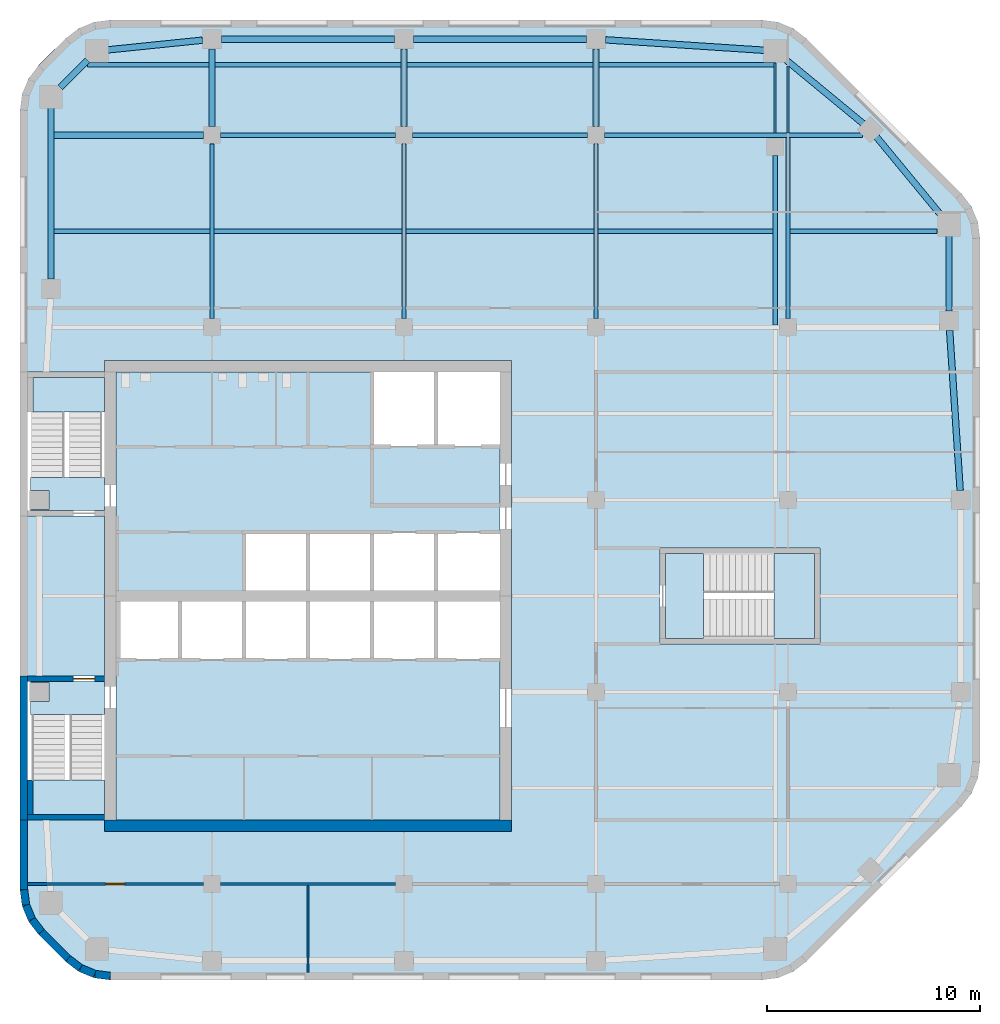
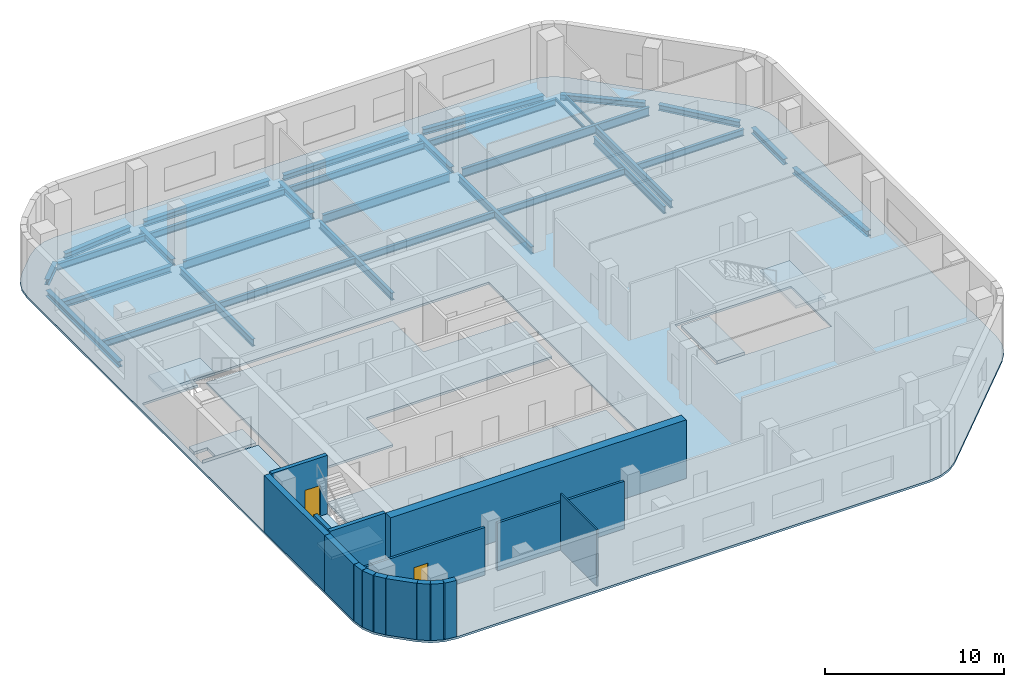
# One storey, part 2 of 8: 33 beams, 16 walls, 9 slabs, 2 doors, 2 openings, 3 elements without a shape of their own.
"""IFC4 building model written with IfcOpenShell, lengths in metres."""

from ifc_helpers import new_model, si_unit, direction, frame, frame_2d, origin, origin_2d, place, context, subcontext, project, spatial, polyline, rectangle, i_section, outline, extrude, material, layer, layer_set, material_profile, profile_set, type_object, element, fill, aggregate, save


model = new_model("IFC4")

# Units and contexts
model_context = context("Model", 3, precision=1e-05, world=origin(), true_north=direction((0.0, 1.0)))
body_context = subcontext(model_context, "Body", "Model", "MODEL_VIEW")
ifc_project = project(units=[si_unit("LENGTHUNIT", "METRE"), si_unit("AREAUNIT", "SQUARE_METRE"), si_unit("VOLUMEUNIT", "CUBIC_METRE"), si_unit("PLANEANGLEUNIT", "RADIAN"), si_unit("MASSUNIT", "GRAM", prefix="KILO")], contexts=[model_context])

# Site, building, storey
site_placement = place(None, origin())
site = spatial("IfcSite", under=ifc_project, at=site_placement, CompositionType="ELEMENT")
building_placement = place(site_placement, origin())
building = spatial("IfcBuilding", under=site, at=building_placement, Name="Cinnabar Reach Civic Tower", CompositionType="ELEMENT")
storey_placement = place(building_placement, frame((0.0, 0.0, 226.0)))
storey = spatial("IfcBuildingStorey", under=building, at=storey_placement, Name="L54", CompositionType="ELEMENT", Elevation=226.0)

# Beams
ifc_material_1 = material(Name="Steel Q355B", Category="steel")
ifc_material_profile_1 = material_profile(ifc_material_1, i_section(OverallWidth=0.3, OverallDepth=0.39, WebThickness=0.01, FlangeThickness=0.016, FilletRadius=0.013, at=origin_2d()), Name="HM390x300x10x16")
ifc_profile_set_1 = profile_set([ifc_material_profile_1], Name="Steel Q355B")
beam_type_1 = type_object("IfcBeamType", Name="HM390x300x10x16 beam R 180", PredefinedType="BEAM", material=ifc_profile_set_1)
beam_1_placement = place(storey_placement, frame((44.0702, 36.452, -0.345), z_axis=(-0.065709484267, 0.997838796438, 0.0), x_axis=(-0.997838796438, -0.065709484267, 0.0)))
element("IfcBeam", 1, at=beam_1_placement, inside=storey, type_object=beam_type_1, Name="Edge beam T1 L54 9", PredefinedType="BEAM", context=body_context, shape_type="SweptSolid", body=[
    extrude(i_section(OverallWidth=0.3, OverallDepth=0.39, WebThickness=0.01, FlangeThickness=0.016, FilletRadius=0.013, at=origin_2d()), origin(), (0.0, 0.0, 1.0), 7.5103),
])
beam_2_placement = place(storey_placement, frame((43.5469, 44.8501, -0.345), z_axis=(0.0, 1.0, 0.0), x_axis=(-1.0, 0.0, 0.0)))
element("IfcBeam", 2, at=beam_2_placement, inside=storey, type_object=beam_type_1, Name="Edge beam T1 L54 10", PredefinedType="BEAM", context=body_context, shape_type="SweptSolid", body=[
    extrude(i_section(OverallWidth=0.3, OverallDepth=0.39, WebThickness=0.01, FlangeThickness=0.016, FilletRadius=0.013, at=origin_2d()), origin(), (0.0, 0.0, 1.0), 3.616),
])
for number, where, z_axis, x_axis, name in (
    (3, (43.1906, 49.3301, -0.345), (-0.63630880182, 0.771434448755, 0.0), (-0.771434448755, -0.63630880182, 0.0), "Edge beam T1 L54 11"),
    (4, (39.5598, 53.6142, -0.345), (-0.771434448755, 0.63630880182, 0.0), (-0.63630880182, -0.771434448755, 0.0), "Edge beam T1 L54 12"),
):
    element("IfcBeam", number, at=place(storey_placement, frame(where, z_axis=z_axis, x_axis=x_axis)), inside=storey, type_object=beam_type_1, Name=name, PredefinedType="BEAM", context=body_context, shape_type="SweptSolid", body=[
        extrude(i_section(OverallWidth=0.3, OverallDepth=0.39, WebThickness=0.01, FlangeThickness=0.016, FilletRadius=0.013, at=origin_2d()), origin(), (0.0, 0.0, 1.0), 4.8348),
    ])
beam_3_placement = place(storey_placement, frame((34.9661, 57.0754, -0.345), z_axis=(-0.99783894477, 0.065707231721, 0.0), x_axis=(-0.065707231721, -0.99783894477, 0.0)))
element("IfcBeam", 5, at=beam_3_placement, inside=storey, type_object=beam_type_1, Name="Edge beam T1 L54 13", PredefinedType="BEAM", context=body_context, shape_type="SweptSolid", body=[
    extrude(i_section(OverallWidth=0.3, OverallDepth=0.39, WebThickness=0.01, FlangeThickness=0.016, FilletRadius=0.013, at=origin_2d()), origin(), (0.0, 0.0, 1.0), 7.5304),
])
for number, where, z_axis, x_axis, name in (
    (6, (26.548, 57.6, -0.345), (-1.0, 0.0, 0.0), (0.0, -1.0, 0.0), "Edge beam T1 L54 14"),
    (7, (17.548, 57.6, -0.345), (-1.0, 0.0, 0.0), (0.0, -1.0, 0.0), "Edge beam T1 L54 15"),
):
    element("IfcBeam", number, at=place(storey_placement, frame(where, z_axis=z_axis, x_axis=x_axis)), inside=storey, type_object=beam_type_1, Name=name, PredefinedType="BEAM", context=body_context, shape_type="SweptSolid", body=[
        extrude(i_section(OverallWidth=0.3, OverallDepth=0.39, WebThickness=0.01, FlangeThickness=0.016, FilletRadius=0.013, at=origin_2d()), origin(), (0.0, 0.0, 1.0), 8.096),
    ])
beam_4_placement = place(storey_placement, frame((8.548, 57.5537, -0.345), z_axis=(-0.994792272495, -0.101923179821, 0.0), x_axis=(0.101923179821, -0.994792272495, 0.0)))
element("IfcBeam", 8, at=beam_4_placement, inside=storey, type_object=beam_type_1, Name="Edge beam T1 L54 16", PredefinedType="BEAM", context=body_context, shape_type="SweptSolid", body=[
    extrude(i_section(OverallWidth=0.3, OverallDepth=0.39, WebThickness=0.01, FlangeThickness=0.016, FilletRadius=0.013, at=origin_2d()), origin(), (0.0, 0.0, 1.0), 4.5377),
])
beam_5_placement = place(storey_placement, frame((3.1699, 56.6149, -0.345), z_axis=(-0.707106781187, -0.707106781187, 0.0), x_axis=(0.707106781187, -0.707106781187, 0.0)))
element("IfcBeam", 9, at=beam_5_placement, inside=storey, type_object=beam_type_1, Name="Edge beam T1 L54 17", PredefinedType="BEAM", context=body_context, shape_type="SweptSolid", body=[
    extrude(i_section(OverallWidth=0.3, OverallDepth=0.39, WebThickness=0.01, FlangeThickness=0.016, FilletRadius=0.013, at=origin_2d()), origin(), (0.0, 0.0, 1.0), 1.817),
])
beam_6_placement = place(storey_placement, frame((1.4531, 54.4661, -0.345), z_axis=(0.0, -1.0, 0.0), x_axis=(1.0, 0.0, 0.0)))
element("IfcBeam", 10, at=beam_6_placement, inside=storey, type_object=beam_type_1, Name="Edge beam T1 L54 18", PredefinedType="BEAM", context=body_context, shape_type="SweptSolid", body=[
    extrude(i_section(OverallWidth=0.3, OverallDepth=0.39, WebThickness=0.01, FlangeThickness=0.016, FilletRadius=0.013, at=origin_2d()), origin(), (0.0, 0.0, 1.0), 8.116),
])
ifc_material_profile_2 = material_profile(ifc_material_1, i_section(OverallWidth=0.3, OverallDepth=0.44, WebThickness=0.011, FlangeThickness=0.018, FilletRadius=0.016, at=origin_2d()), Name="HM440x300x11x18")
ifc_profile_set_2 = profile_set([ifc_material_profile_2], Name="Steel Q355B")
beam_type_2 = type_object("IfcBeamType", Name="HM440x300x11x18 beam R 180", PredefinedType="BEAM", material=ifc_profile_set_2)
beam_7_placement = place(storey_placement, frame((1.6051, 53.1, -0.37), z_axis=(1.0, 0.0, 0.0), x_axis=(0.0, 1.0, 0.0)))
element("IfcBeam", 11, at=beam_7_placement, inside=storey, type_object=beam_type_2, Name="Girder T1 L54 17", PredefinedType="BEAM", context=body_context, shape_type="SweptSolid", body=[
    extrude(i_section(OverallWidth=0.3, OverallDepth=0.44, WebThickness=0.011, FlangeThickness=0.018, FilletRadius=0.016, at=origin_2d()), origin(), (0.0, 0.0, 1.0), 6.9929),
])
for number, where, z_axis, x_axis, name in (
    (12, (9.0, 53.502, -0.37), (0.0, 1.0, 0.0), (-1.0, 0.0, 0.0), "Girder T1 L54 5"),
    (13, (18.0, 53.502, -0.37), (0.0, 1.0, 0.0), (-1.0, 0.0, 0.0), "Girder T1 L54 10"),
    (14, (27.0, 53.502, -0.37), (0.0, 1.0, 0.0), (-1.0, 0.0, 0.0), "Girder T1 L54 16"),
):
    element("IfcBeam", number, at=place(storey_placement, frame(where, z_axis=z_axis, x_axis=x_axis)), inside=storey, type_object=beam_type_2, Name=name, PredefinedType="BEAM", context=body_context, shape_type="SweptSolid", body=[
        extrude(i_section(OverallWidth=0.3, OverallDepth=0.44, WebThickness=0.011, FlangeThickness=0.018, FilletRadius=0.016, at=origin_2d()), origin(), (0.0, 0.0, 1.0), 3.646),
    ])
ifc_material_profile_3 = material_profile(ifc_material_1, i_section(OverallWidth=0.099, OverallDepth=0.198, WebThickness=0.0045, FlangeThickness=0.007, FilletRadius=0.013, at=origin_2d()), Name="HN200x100x5.5x8")
ifc_profile_set_3 = profile_set([ifc_material_profile_3], Name="Steel Q355B")
beam_type_3 = type_object("IfcBeamType", Name="HN200x100x5.5x8 beam R 180", PredefinedType="BEAM", material=ifc_profile_set_3)
beam_8_placement = place(storey_placement, frame((35.3981, 53.2015, -0.249), z_axis=(0.0, 1.0, 0.0), x_axis=(-1.0, 0.0, 0.0)))
element("IfcBeam", 15, at=beam_8_placement, inside=storey, type_object=beam_type_3, Name="Girder T1 L54 23", PredefinedType="BEAM", context=body_context, shape_type="SweptSolid", body=[
    extrude(i_section(OverallWidth=0.099, OverallDepth=0.198, WebThickness=0.0045, FlangeThickness=0.007, FilletRadius=0.013, at=origin_2d()), origin(), (0.0, 0.0, 1.0), 3.2934),
])
beam_9_placement = place(storey_placement, frame((36.0, 53.2015, -0.249), z_axis=(0.0, 1.0, 0.0), x_axis=(-1.0, 0.0, 0.0)))
element("IfcBeam", 16, at=beam_9_placement, inside=storey, type_object=beam_type_3, Name="Girder T1 L54 30", PredefinedType="BEAM", context=body_context, shape_type="SweptSolid", body=[
    extrude(i_section(OverallWidth=0.099, OverallDepth=0.198, WebThickness=0.0045, FlangeThickness=0.007, FilletRadius=0.013, at=origin_2d()), origin(), (0.0, 0.0, 1.0), 3.1519),
])
ifc_material_profile_4 = material_profile(ifc_material_1, i_section(OverallWidth=0.199, OverallDepth=0.446, WebThickness=0.008, FlangeThickness=0.012, FilletRadius=0.016, at=origin_2d()), Name="HN446x199x8x12")
ifc_profile_set_4 = profile_set([ifc_material_profile_4], Name="Steel Q355B")
beam_type_4 = type_object("IfcBeamType", Name="HN446x199x8x12 beam R 180", PredefinedType="BEAM", material=ifc_profile_set_4)
beam_10_placement = place(storey_placement, frame((1.6051, 48.6, -0.373), z_axis=(1.0, 0.0, 0.0), x_axis=(0.0, 1.0, 0.0)))
element("IfcBeam", 17, at=beam_10_placement, inside=storey, type_object=beam_type_4, Name="Secondary beam T1 L54 11", PredefinedType="BEAM", context=body_context, shape_type="SweptSolid", body=[
    extrude(i_section(OverallWidth=0.199, OverallDepth=0.446, WebThickness=0.008, FlangeThickness=0.012, FilletRadius=0.016, at=origin_2d()), origin(), (0.0, 0.0, 1.0), 7.2929),
])
for number, where, z_axis, x_axis, name in (
    (18, (9.102, 48.6, -0.373), (1.0, 0.0, 0.0), (0.0, 1.0, 0.0), "Secondary beam T1 L54 12"),
    (19, (18.102, 48.6, -0.373), (1.0, 0.0, 0.0), (0.0, 1.0, 0.0), "Secondary beam T1 L54 13"),
):
    element("IfcBeam", number, at=place(storey_placement, frame(where, z_axis=z_axis, x_axis=x_axis)), inside=storey, type_object=beam_type_4, Name=name, PredefinedType="BEAM", context=body_context, shape_type="SweptSolid", body=[
        extrude(i_section(OverallWidth=0.199, OverallDepth=0.446, WebThickness=0.008, FlangeThickness=0.012, FilletRadius=0.016, at=origin_2d()), origin(), (0.0, 0.0, 1.0), 8.796),
    ])
beam_11_placement = place(storey_placement, frame((27.102, 48.6, -0.373), z_axis=(1.0, 0.0, 0.0), x_axis=(0.0, 1.0, 0.0)))
element("IfcBeam", 20, at=beam_11_placement, inside=storey, type_object=beam_type_4, Name="Secondary beam T1 L54 14", PredefinedType="BEAM", context=body_context, shape_type="SweptSolid", body=[
    extrude(i_section(OverallWidth=0.199, OverallDepth=0.446, WebThickness=0.008, FlangeThickness=0.012, FilletRadius=0.016, at=origin_2d()), origin(), (0.0, 0.0, 1.0), 8.1941),
])
beam_12_placement = place(storey_placement, frame((36.102, 48.6, -0.373), z_axis=(1.0, 0.0, 0.0), x_axis=(0.0, 1.0, 0.0)))
element("IfcBeam", 21, at=beam_12_placement, inside=storey, type_object=beam_type_4, Name="Secondary beam T1 L54 15", PredefinedType="BEAM", context=body_context, shape_type="SweptSolid", body=[
    extrude(i_section(OverallWidth=0.199, OverallDepth=0.446, WebThickness=0.008, FlangeThickness=0.012, FilletRadius=0.016, at=origin_2d()), origin(), (0.0, 0.0, 1.0), 6.8929),
])
beam_13_placement = place(storey_placement, frame((3.17, 56.4, -0.373), z_axis=(1.0, 0.0, 0.0), x_axis=(0.0, 1.0, 0.0)))
element("IfcBeam", 22, at=beam_13_placement, inside=storey, type_object=beam_type_4, Name="Secondary beam T1 L54 16", PredefinedType="BEAM", context=body_context, shape_type="SweptSolid", body=[
    extrude(i_section(OverallWidth=0.199, OverallDepth=0.446, WebThickness=0.008, FlangeThickness=0.012, FilletRadius=0.016, at=origin_2d()), origin(), (0.0, 0.0, 1.0), 5.678),
])
for number, where, z_axis, x_axis, name in (
    (23, (9.152, 56.4, -0.373), (1.0, 0.0, 0.0), (0.0, 1.0, 0.0), "Secondary beam T1 L54 17"),
    (24, (18.152, 56.4, -0.373), (1.0, 0.0, 0.0), (0.0, 1.0, 0.0), "Secondary beam T1 L54 18"),
):
    element("IfcBeam", number, at=place(storey_placement, frame(where, z_axis=z_axis, x_axis=x_axis)), inside=storey, type_object=beam_type_4, Name=name, PredefinedType="BEAM", context=body_context, shape_type="SweptSolid", body=[
        extrude(i_section(OverallWidth=0.199, OverallDepth=0.446, WebThickness=0.008, FlangeThickness=0.012, FilletRadius=0.016, at=origin_2d()), origin(), (0.0, 0.0, 1.0), 8.696),
    ])
beam_14_placement = place(storey_placement, frame((27.152, 56.4, -0.373), z_axis=(1.0, 0.0, 0.0), x_axis=(0.0, 1.0, 0.0)))
element("IfcBeam", 25, at=beam_14_placement, inside=storey, type_object=beam_type_4, Name="Secondary beam T1 L54 19", PredefinedType="BEAM", context=body_context, shape_type="SweptSolid", body=[
    extrude(i_section(OverallWidth=0.199, OverallDepth=0.446, WebThickness=0.008, FlangeThickness=0.012, FilletRadius=0.016, at=origin_2d()), origin(), (0.0, 0.0, 1.0), 8.1946),
])
ifc_material_profile_5 = material_profile(ifc_material_1, i_section(OverallWidth=0.2, OverallDepth=0.5, WebThickness=0.01, FlangeThickness=0.016, FilletRadius=0.016, at=origin_2d()), Name="HN500x200x10x16")
ifc_profile_set_5 = profile_set([ifc_material_profile_5], Name="Steel Q355B")
beam_type_5 = type_object("IfcBeamType", Name="HN500x200x10x16 beam R 180", PredefinedType="BEAM", material=ifc_profile_set_5)
for number, where, z_axis, x_axis, name in (
    (26, (9.0, 44.502, -0.4), (0.0, 1.0, 0.0), (-1.0, 0.0, 0.0), "Girder T1 L54 4"),
    (27, (18.0, 44.502, -0.4), (0.0, 1.0, 0.0), (-1.0, 0.0, 0.0), "Girder T1 L54 9"),
    (28, (27.0, 44.502, -0.4), (0.0, 1.0, 0.0), (-1.0, 0.0, 0.0), "Girder T1 L54 15"),
):
    element("IfcBeam", number, at=place(storey_placement, frame(where, z_axis=z_axis, x_axis=x_axis)), inside=storey, type_object=beam_type_5, Name=name, PredefinedType="BEAM", context=body_context, shape_type="SweptSolid", body=[
        extrude(i_section(OverallWidth=0.2, OverallDepth=0.5, WebThickness=0.01, FlangeThickness=0.016, FilletRadius=0.016, at=origin_2d()), origin(), (0.0, 0.0, 1.0), 8.196),
    ])
beam_15_placement = place(storey_placement, frame((35.3981, 44.2015, -0.4), z_axis=(0.0, 1.0, 0.0), x_axis=(-1.0, 0.0, 0.0)))
element("IfcBeam", 29, at=beam_15_placement, inside=storey, type_object=beam_type_5, Name="Girder T1 L54 22", PredefinedType="BEAM", context=body_context, shape_type="SweptSolid", body=[
    extrude(i_section(OverallWidth=0.2, OverallDepth=0.5, WebThickness=0.01, FlangeThickness=0.016, FilletRadius=0.016, at=origin_2d()), origin(), (0.0, 0.0, 1.0), 7.9434),
])
beam_16_placement = place(storey_placement, frame((36.0, 44.502, -0.4), z_axis=(0.0, 1.0, 0.0), x_axis=(-1.0, 0.0, 0.0)))
element("IfcBeam", 30, at=beam_16_placement, inside=storey, type_object=beam_type_5, Name="Girder T1 L54 29", PredefinedType="BEAM", context=body_context, shape_type="SweptSolid", body=[
    extrude(i_section(OverallWidth=0.2, OverallDepth=0.5, WebThickness=0.01, FlangeThickness=0.016, FilletRadius=0.016, at=origin_2d()), origin(), (0.0, 0.0, 1.0), 8.4965),
])
ifc_material_profile_6 = material_profile(ifc_material_1, i_section(OverallWidth=0.199, OverallDepth=0.596, WebThickness=0.01, FlangeThickness=0.015, FilletRadius=0.016, at=origin_2d()), Name="HN596x199x10x15")
ifc_profile_set_6 = profile_set([ifc_material_profile_6], Name="Steel Q355B")
beam_type_6 = type_object("IfcBeamType", Name="HN596x199x10x15 beam R 180", PredefinedType="BEAM", material=ifc_profile_set_6)
for number, where, z_axis, x_axis, name in (
    (31, (9.402, 53.1, -0.448), (1.0, 0.0, 0.0), (0.0, 1.0, 0.0), "Girder T1 L54 18"),
    (32, (18.402, 53.1, -0.448), (1.0, 0.0, 0.0), (0.0, 1.0, 0.0), "Girder T1 L54 19"),
):
    element("IfcBeam", number, at=place(storey_placement, frame(where, z_axis=z_axis, x_axis=x_axis)), inside=storey, type_object=beam_type_6, Name=name, PredefinedType="BEAM", context=body_context, shape_type="SweptSolid", body=[
        extrude(i_section(OverallWidth=0.199, OverallDepth=0.596, WebThickness=0.01, FlangeThickness=0.015, FilletRadius=0.016, at=origin_2d()), origin(), (0.0, 0.0, 1.0), 8.196),
    ])
beam_17_placement = place(storey_placement, frame((27.402, 53.1, -0.448), z_axis=(1.0, 0.0, 0.0), x_axis=(0.0, 1.0, 0.0)))
element("IfcBeam", 33, at=beam_17_placement, inside=storey, type_object=beam_type_6, Name="Girder T1 L54 20", PredefinedType="BEAM", context=body_context, shape_type="SweptSolid", body=[
    extrude(i_section(OverallWidth=0.199, OverallDepth=0.596, WebThickness=0.01, FlangeThickness=0.015, FilletRadius=0.016, at=origin_2d()), origin(), (0.0, 0.0, 1.0), 12.086),
])

# Slab
ifc_material_2 = material(Name="Concrete C40", Category="concrete")
ifc_layer_1 = layer(ifc_material_2, 0.15)
ifc_layer_set_1 = layer_set([ifc_layer_1], Name="Composite floor slab 150 REI 150")
slab_type_1 = type_object("IfcSlabType", Name="Composite floor slab 150 REI 150", PredefinedType="FLOOR", material=ifc_layer_set_1)
slab_1_placement = place(storey_placement, frame((0.0, 0.0, -0.15)))
element("IfcSlab", 34, at=slab_1_placement, inside=storey, type_object=slab_type_1, Name="Composite floor slab 150 T1 L54", PredefinedType="FLOOR", context=body_context, shape_type="SweptSolid", body=[
    extrude(outline(polyline([(0.8787, 15.6213), (0.4019, 16.2426), (0.1022, 16.9662), (0.0, 17.7426), (0.0, 54.2574), (0.1022, 55.0338), (0.4019, 55.7574), (0.8787, 56.3787), (2.1213, 57.6213), (2.7426, 58.0981), (3.4662, 58.3978), (4.2426, 58.5), (34.7574, 58.5), (35.5338, 58.3978), (36.2574, 58.0981), (36.8787, 57.6213), (44.1213, 50.3787), (44.5981, 49.7574), (44.8978, 49.0338), (45.0, 48.2574), (45.0, 23.7426), (44.8978, 22.9662), (44.5981, 22.2426), (44.1213, 21.6213), (36.8787, 14.3787), (36.2574, 13.9019), (35.5338, 13.6022), (34.7574, 13.5), (4.2426, 13.5), (3.4662, 13.6022), (2.7426, 13.9019), (2.1213, 14.3787), (0.8787, 15.6213)]), holes=[polyline([(0.36, 21.0), (3.95, 21.0), (3.95, 20.45), (23.05, 20.45), (23.05, 42.55), (3.95, 42.55), (3.95, 42.0), (0.36, 42.0), (0.36, 35.25), (3.95, 35.25), (3.95, 27.75), (0.36, 27.75), (0.36, 21.0)]), polyline([(30.0, 33.75), (30.0, 29.25), (37.5, 29.25), (37.5, 33.75), (30.0, 33.75)])]), origin(), (0.0, 0.0, 1.0), 0.15),
])

# Stair, slabs
ifc_material_3 = material(Name="Concrete C40/50", Category="concrete")
stair_type = type_object("IfcStairType", Name="T1 Exit stair, half-turn", PredefinedType="HALF_TURN_STAIR", material=ifc_material_3)
stair_1_placement = place(storey_placement, origin())
stair_1 = element("IfcStair", 35, at=stair_1_placement, inside=storey, type_object=stair_type, Name="Stair T1-S1", PredefinedType="HALF_TURN_STAIR")
ifc_layer_2 = layer(ifc_material_3, 0.2)
ifc_layer_set_2 = layer_set([ifc_layer_2], Name="T1 Stair landing 200, Concrete C40/50")
slab_type_2 = type_object("IfcSlabType", Name="T1 Stair landing 200, Concrete C40/50", PredefinedType="LANDING", material=ifc_layer_set_2)
slab_2_placement = place(storey_placement, frame((0.0, 0.0, -0.2)))
slab_2 = element("IfcSlab", 36, at=slab_2_placement, type_object=slab_type_2, Name="T1-S1 landing 1", PredefinedType="LANDING", context=body_context, shape_type="SweptSolid", body=[
    extrude(outline(polyline([(0.5, 27.5), (3.95, 27.5), (3.95, 25.95), (0.5, 25.95), (0.5, 26.55), (1.35, 26.55), (1.35, 27.45), (0.5, 27.45), (0.5, 27.5)])), origin(), (0.0, 0.0, 1.0), 0.2),
])
slab_3_placement = place(storey_placement, frame((0.0, 0.0, 1.8)))
slab_3 = element("IfcSlab", 37, at=slab_3_placement, type_object=slab_type_2, Name="T1-S1 landing 2", PredefinedType="LANDING", context=body_context, shape_type="SweptSolid", body=[
    extrude(outline(polyline([(0.6, 21.25), (0.6, 22.87), (3.95, 22.87), (3.95, 21.25), (0.6, 21.25)])), origin(), (0.0, 0.0, 1.0), 0.2),
])
aggregate(stair_1, [slab_2, slab_3])

stair_2_placement = place(storey_placement, origin())
stair_2 = element("IfcStair", 38, at=stair_2_placement, inside=storey, type_object=stair_type, Name="Stair T1-S2", PredefinedType="HALF_TURN_STAIR")
slab_4_placement = place(storey_placement, frame((0.0, 0.0, -0.2)))
slab_4 = element("IfcSlab", 39, at=slab_4_placement, type_object=slab_type_2, Name="T1-S2 landing 1", PredefinedType="LANDING", context=body_context, shape_type="SweptSolid", body=[
    extrude(outline(polyline([(0.5, 37.05), (3.95, 37.05), (3.95, 35.5), (0.5, 35.5), (0.5, 35.55), (1.35, 35.55), (1.35, 36.45), (0.5, 36.45), (0.5, 37.05)])), origin(), (0.0, 0.0, 1.0), 0.2),
])
slab_5_placement = place(storey_placement, frame((0.0, 0.0, 1.8)))
slab_5 = element("IfcSlab", 40, at=slab_5_placement, type_object=slab_type_2, Name="T1-S2 landing 2", PredefinedType="LANDING", context=body_context, shape_type="SweptSolid", body=[
    extrude(outline(polyline([(0.6, 40.13), (0.6, 41.75), (3.95, 41.75), (3.95, 40.13), (0.6, 40.13)])), origin(), (0.0, 0.0, 1.0), 0.2),
])
aggregate(stair_2, [slab_4, slab_5])

stair_3_placement = place(storey_placement, origin())
stair_3 = element("IfcStair", 41, at=stair_3_placement, inside=storey, type_object=stair_type, Name="Stair T1-S3", PredefinedType="HALF_TURN_STAIR")
slab_6_placement = place(storey_placement, frame((0.0, 0.0, -0.2)))
slab_6 = element("IfcSlab", 42, at=slab_6_placement, type_object=slab_type_2, Name="T1-S3 landing 1", PredefinedType="LANDING", context=body_context, shape_type="SweptSolid", body=[
    extrude(outline(polyline([(30.25, 29.5), (32.05, 29.5), (32.05, 33.5), (30.25, 33.5), (30.25, 29.5)])), origin(), (0.0, 0.0, 1.0), 0.2),
])
slab_7_placement = place(storey_placement, frame((0.0, 0.0, 1.8)))
slab_7 = element("IfcSlab", 43, at=slab_7_placement, type_object=slab_type_2, Name="T1-S3 landing 2", PredefinedType="LANDING", context=body_context, shape_type="SweptSolid", body=[
    extrude(outline(polyline([(35.35, 29.5), (37.25, 29.5), (37.25, 33.5), (35.35, 33.5), (35.35, 29.5)])), origin(), (0.0, 0.0, 1.0), 0.2),
])
aggregate(stair_3, [slab_6, slab_7])

# Slabs
ifc_layer_3 = layer(ifc_material_3, 0.15)
ifc_layer_set_3 = layer_set([ifc_layer_3], Name="T1 core floor slab 150")
slab_type_3 = type_object("IfcSlabType", Name="T1 core floor slab 150", PredefinedType="FLOOR", material=ifc_layer_set_3)
slab_8_placement = place(storey_placement, frame((0.0, 0.0, -0.15)))
element("IfcSlab", 44, at=slab_8_placement, inside=storey, type_object=slab_type_3, Name="Core floor slab L54", PredefinedType="FLOOR", context=body_context, shape_type="SweptSolid", body=[
    extrude(outline(polyline([(22.5, 21.0), (4.5, 21.0), (4.5, 28.5), (7.5, 28.5), (10.5, 28.5), (13.5, 28.5), (16.5, 28.5), (19.5, 28.5), (22.5, 28.5), (22.5, 21.0)])), origin(), (0.0, 0.0, 1.0), 0.15),
])
slab_9_placement = place(storey_placement, frame((0.0, 0.0, -0.15)))
element("IfcSlab", 45, at=slab_9_placement, inside=storey, type_object=slab_type_3, Name="Core floor slab L54", PredefinedType="FLOOR", context=body_context, shape_type="SweptSolid", body=[
    extrude(outline(polyline([(22.5, 34.5), (19.5, 34.5), (16.5, 34.5), (13.5, 34.5), (10.5, 34.5), (10.5, 31.5), (7.5, 31.5), (4.5, 31.5), (4.5, 42.0), (16.5, 42.0), (16.5, 38.5), (19.5, 38.5), (22.5, 38.5), (22.5, 34.5)])), origin(), (0.0, 0.0, 1.0), 0.15),
])

# Walls
ifc_material_4 = material(Name="Facing brick with insulated backing", Category="masonry")
ifc_layer_4 = layer(ifc_material_4, 0.36)
ifc_layer_set_4 = layer_set([ifc_layer_4], Name="Brick corner wall")
wall_type_1 = type_object("IfcWallType", Name="Brick corner wall", PredefinedType="STANDARD", material=ifc_layer_set_4)
for number, where, z_axis, x_axis, name in (
    (46, (0.183, 17.7314, 0.0), (0.0, 0.0, 1.0), (0.13055608231, -0.99144092581, 0.0), "Brick corner wall"),
    (47, (0.2819, 17.0027, 0.0), (0.0, 0.0, 1.0), (0.382702709855, -0.923871547278, 0.0), "Brick corner wall"),
):
    element("IfcWall", number, at=place(storey_placement, frame(where, z_axis=z_axis, x_axis=x_axis)), inside=storey, type_object=wall_type_1, Name=name, PredefinedType="STANDARD", context=body_context, shape_type="SweptSolid", body=[
        extrude(rectangle(XDim=0.7131, YDim=0.36, at=frame_2d((0.3565, 0.0))), origin(), (0.0, 0.0, 1.0), 3.85),
    ])
for number, where, z_axis, x_axis, name in (
    (48, (0.566, 16.3245, 0.0), (0.0, 0.0, 1.0), (0.608802368033, -0.793321924995, 0.0), "Brick corner wall"),
    (49, (2.2587, 14.5002, 0.0), (0.0, 0.0, 1.0), (0.793321924995, -0.608802368033, 0.0), "Brick corner wall"),
):
    element("IfcWall", number, at=place(storey_placement, frame(where, z_axis=z_axis, x_axis=x_axis)), inside=storey, type_object=wall_type_1, Name=name, PredefinedType="STANDARD", context=body_context, shape_type="SweptSolid", body=[
        extrude(rectangle(XDim=0.7132, YDim=0.36, at=frame_2d((0.3566, 0.0))), origin(), (0.0, 0.0, 1.0), 3.85),
    ])
for number, where, z_axis, x_axis, name in (
    (50, (2.8439, 14.0548, 0.0), (0.0, 0.0, 1.0), (0.923871547278, -0.382702709855, 0.0), "Brick corner wall"),
    (51, (3.5244, 13.7761, 0.0), (0.0, 0.0, 1.0), (0.99144092581, -0.13055608231, 0.0), "Brick corner wall"),
):
    element("IfcWall", number, at=place(storey_placement, frame(where, z_axis=z_axis, x_axis=x_axis)), inside=storey, type_object=wall_type_1, Name=name, PredefinedType="STANDARD", context=body_context, shape_type="SweptSolid", body=[
        extrude(rectangle(XDim=0.7131, YDim=0.36, at=frame_2d((0.3565, 0.0))), origin(), (0.0, 0.0, 1.0), 3.85),
    ])
ifc_layer_5 = layer(ifc_material_4, 0.36)
ifc_layer_set_5 = layer_set([ifc_layer_5], Name="Brick pier and spandrel wall")
wall_type_2 = type_object("IfcWallType", Name="Brick pier and spandrel wall", PredefinedType="STANDARD", material=ifc_layer_set_5)
wall_1_placement = place(storey_placement, frame((0.18, 27.75, 0.0), z_axis=(0.0, 0.0, 1.0), x_axis=(0.0, -1.0, 0.0)))
element("IfcWall", 52, at=wall_1_placement, inside=storey, type_object=wall_type_2, Name="Brick facade wall", PredefinedType="STANDARD", context=body_context, shape_type="SweptSolid", body=[
    extrude(rectangle(XDim=6.75, YDim=0.36, at=frame_2d((3.375, 0.0))), origin(), (0.0, 0.0, 1.0), 3.85),
])
wall_2_placement = place(storey_placement, frame((0.18, 21.0, 0.0), z_axis=(0.0, 0.0, 1.0), x_axis=(0.0, -1.0, 0.0)))
element("IfcWall", 53, at=wall_2_placement, inside=storey, type_object=wall_type_2, Name="Brick facade wall", PredefinedType="STANDARD", context=body_context, shape_type="SweptSolid", body=[
    extrude(rectangle(XDim=3.2574, YDim=0.36, at=frame_2d((1.6287, 0.0))), origin(), (0.0, 0.0, 1.0), 3.85),
])
wall_3_placement = place(storey_placement, frame((1.006, 15.7486, 0.0), z_axis=(0.0, 0.0, 1.0), x_axis=(0.707106781187, -0.707106781187, 0.0)))
element("IfcWall", 54, at=wall_3_placement, inside=storey, type_object=wall_type_2, Name="Brick facade wall", PredefinedType="STANDARD", context=body_context, shape_type="SweptSolid", body=[
    extrude(rectangle(XDim=1.7573, YDim=0.36, at=frame_2d((0.8787, 0.0))), origin(), (0.0, 0.0, 1.0), 3.85),
])
ifc_material_5 = material(Name="Concrete C60", Category="concrete")
ifc_layer_6 = layer(ifc_material_5, 0.55)
ifc_layer_set_6 = layer_set([ifc_layer_6], Name="Core wall 550 EI 180")
wall_type_3 = type_object("IfcWallType", Name="Core wall 550 EI 180", PredefinedType="SOLIDWALL", material=ifc_layer_set_6)
wall_4_placement = place(storey_placement, frame((3.95, 20.725, 0.0), z_axis=(0.0, 0.0, 1.0), x_axis=(1.0, 0.0, 0.0)))
element("IfcWall", 55, at=wall_4_placement, inside=storey, type_object=wall_type_3, Name="Core wall T1 L54 S", PredefinedType="SOLIDWALL", context=body_context, shape_type="SweptSolid", body=[
    extrude(rectangle(XDim=19.1, YDim=0.55, at=frame_2d((9.55, 0.0))), origin(), (0.0, 0.0, 1.0), 4.0),
])
ifc_material_6 = material(Name="Gypsum board on steel studs, double layer", Category="steel")
ifc_layer_7 = layer(ifc_material_6, 0.15)
ifc_layer_set_7 = layer_set([ifc_layer_7], Name="Corridor wall 150 T1")
wall_type_4 = type_object("IfcWallType", Name="Corridor wall 150 T1", PredefinedType="PARTITIONING", material=ifc_layer_set_7)
wall_5_placement = place(storey_placement, frame((9.4, 18.0, 0.0), z_axis=(0.0, 0.0, 1.0), x_axis=(1.0, 0.0, 0.0)))
element("IfcWall", 56, at=wall_5_placement, inside=storey, type_object=wall_type_4, Name="Corridor wall 22", PredefinedType="PARTITIONING", context=body_context, shape_type="SweptSolid", body=[
    extrude(rectangle(XDim=8.2, YDim=0.15, at=frame_2d((4.1, 0.0))), origin(), (0.0, 0.0, 1.0), 3.254),
])

# Wall, opening, door
wall_6_placement = place(storey_placement, frame((0.36, 18.0, 0.0), z_axis=(0.0, 0.0, 1.0), x_axis=(1.0, 0.0, 0.0)))
wall_6 = element("IfcWall", 57, at=wall_6_placement, inside=storey, type_object=wall_type_4, Name="Corridor wall 23", PredefinedType="PARTITIONING", context=body_context, shape_type="SweptSolid", body=[
    extrude(rectangle(XDim=8.24, YDim=0.15, at=frame_2d((4.12, 0.0))), origin(), (0.0, 0.0, 1.0), 3.254),
])
opening_1_placement = place(wall_6_placement, frame((3.65, 0.0, 0.0)))
opening_1 = element("IfcOpeningElement", 58, at=opening_1_placement, cuts=wall_6, Name="Opening D5217", PredefinedType="OPENING", context=body_context, shape_type="SweptSolid", body=[
    extrude(rectangle(XDim=0.9, YDim=2.1, at=frame_2d((0.45, 1.05))), frame((0.0, 0.085, 0.0), z_axis=(0.0, -1.0, 0.0), x_axis=(1.0, 0.0, 0.0)), (0.0, 0.0, 1.0), 0.17),
])
ifc_material_7 = material(Name="Timber door leaf in steel frame", Category="steel")
door_type_1 = type_object("IfcDoorType", Name="Single swing door 900 x 2100 corridor T1", OperationType="SINGLE_SWING_LEFT", PredefinedType="DOOR", material=ifc_material_7)
door_1_placement = place(opening_1_placement, frame((0.9, 0.0, 0.0), z_axis=(0.0, 0.0, 1.0), x_axis=(-1.0, 0.0, 0.0)))
door_1 = element("IfcDoor", 59, at=door_1_placement, inside=storey, type_object=door_type_1, Name="Door D5217", OperationType="SINGLE_SWING_LEFT", OverallHeight=2.1, OverallWidth=0.9, PredefinedType="DOOR", context=body_context, shape_type="SweptSolid", body=[
    extrude(rectangle(XDim=0.9, YDim=2.1, at=frame_2d((0.45, 1.05))), frame((0.0, 0.025, 0.0), z_axis=(0.0, -1.0, 0.0), x_axis=(1.0, 0.0, 0.0)), (0.0, 0.0, 1.0), 0.05),
])
fill(opening_1, door_1)

# Walls
ifc_material_8 = material(Name="Gypsum board on steel studs", Category="steel")
ifc_layer_8 = layer(ifc_material_8, 0.1)
ifc_layer_set_8 = layer_set([ifc_layer_8], Name="Partition wall 100 T1")
wall_type_5 = type_object("IfcWallType", Name="Partition wall 100 T1", PredefinedType="PARTITIONING", material=ifc_layer_set_8)
wall_7_placement = place(storey_placement, frame((13.5, 13.86, 0.0), z_axis=(0.0, 0.0, 1.0), x_axis=(0.0, 1.0, 0.0)))
element("IfcWall", 60, at=wall_7_placement, inside=storey, type_object=wall_type_5, Name="Partition wall 50", PredefinedType="PARTITIONING", context=body_context, shape_type="SweptSolid", body=[
    extrude(rectangle(XDim=4.065, YDim=0.1, at=frame_2d((2.0325, 0.0))), origin(), (0.0, 0.0, 1.0), 3.85),
])
ifc_layer_9 = layer(ifc_material_5, 0.25)
ifc_layer_set_9 = layer_set([ifc_layer_9], Name="Stair shaft wall 250 EI 120")
wall_type_6 = type_object("IfcWallType", Name="Stair shaft wall 250 EI 120", PredefinedType="SOLIDWALL", material=ifc_layer_set_9)
wall_8_placement = place(storey_placement, frame((0.36, 21.125, 0.0), z_axis=(0.0, 0.0, 1.0), x_axis=(1.0, 0.0, 0.0)))
element("IfcWall", 61, at=wall_8_placement, inside=storey, type_object=wall_type_6, Name="Stair shaft wall T1-S1 L54", PredefinedType="SOLIDWALL", context=body_context, shape_type="SweptSolid", body=[
    extrude(rectangle(XDim=3.59, YDim=0.25, at=frame_2d((1.795, 0.0))), origin(), (0.0, 0.0, 1.0), 4.0),
])

# Wall, opening, door
wall_9_placement = place(storey_placement, frame((3.95, 27.625, 0.0), z_axis=(0.0, 0.0, 1.0), x_axis=(-1.0, 0.0, 0.0)))
wall_9 = element("IfcWall", 62, at=wall_9_placement, inside=storey, type_object=wall_type_6, Name="Stair shaft wall T1-S1 L54", PredefinedType="SOLIDWALL", context=body_context, shape_type="SweptSolid", body=[
    extrude(rectangle(XDim=3.59, YDim=0.25, at=frame_2d((1.795, 0.0))), origin(), (0.0, 0.0, 1.0), 4.0),
])
opening_2_placement = place(wall_9_placement, frame((0.45, 0.0, 0.0)))
opening_2 = element("IfcOpeningElement", 63, at=opening_2_placement, cuts=wall_9, Name="Opening D5187", PredefinedType="OPENING", context=body_context, shape_type="SweptSolid", body=[
    extrude(rectangle(XDim=1.0, YDim=2.1, at=frame_2d((0.5, 1.05))), frame((0.0, 0.135, 0.0), z_axis=(0.0, -1.0, 0.0), x_axis=(1.0, 0.0, 0.0)), (0.0, 0.0, 1.0), 0.27),
])
door_type_2 = type_object("IfcDoorType", Name="Stair door 1000 x 2100 T1", OperationType="SINGLE_SWING_LEFT", PredefinedType="DOOR", material=ifc_material_7)
door_2_placement = place(opening_2_placement, origin())
door_2 = element("IfcDoor", 64, at=door_2_placement, inside=storey, type_object=door_type_2, Name="Door D5187", OperationType="SINGLE_SWING_LEFT", OverallHeight=2.1, OverallWidth=1.0, PredefinedType="DOOR", context=body_context, shape_type="SweptSolid", body=[
    extrude(rectangle(XDim=1.0, YDim=2.1, at=frame_2d((0.5, 1.05))), frame((0.0, 0.025, 0.0), z_axis=(0.0, -1.0, 0.0), x_axis=(1.0, 0.0, 0.0)), (0.0, 0.0, 1.0), 0.05),
])
fill(opening_2, door_2)

# Wall
ifc_layer_10 = layer(ifc_material_3, 0.24)
ifc_layer_set_10 = layer_set([ifc_layer_10], Name="T1 landing bearer wall 240")
wall_type_7 = type_object("IfcWallType", Name="T1 landing bearer wall 240", PredefinedType="STANDARD", material=ifc_layer_set_10)
wall_10_placement = place(storey_placement, frame((0.48, 21.25, 0.0), z_axis=(0.0, 0.0, 1.0), x_axis=(0.0, 1.0, 0.0)))
element("IfcWall", 65, at=wall_10_placement, inside=storey, type_object=wall_type_7, Name="T1-S1 landing bearer wall", PredefinedType="STANDARD", context=body_context, shape_type="SweptSolid", body=[
    extrude(rectangle(XDim=1.62, YDim=0.24, at=frame_2d((0.81, 0.0))), origin(), (0.0, 0.0, 1.0), 4.0),
])

save(model, "model.ifc")
